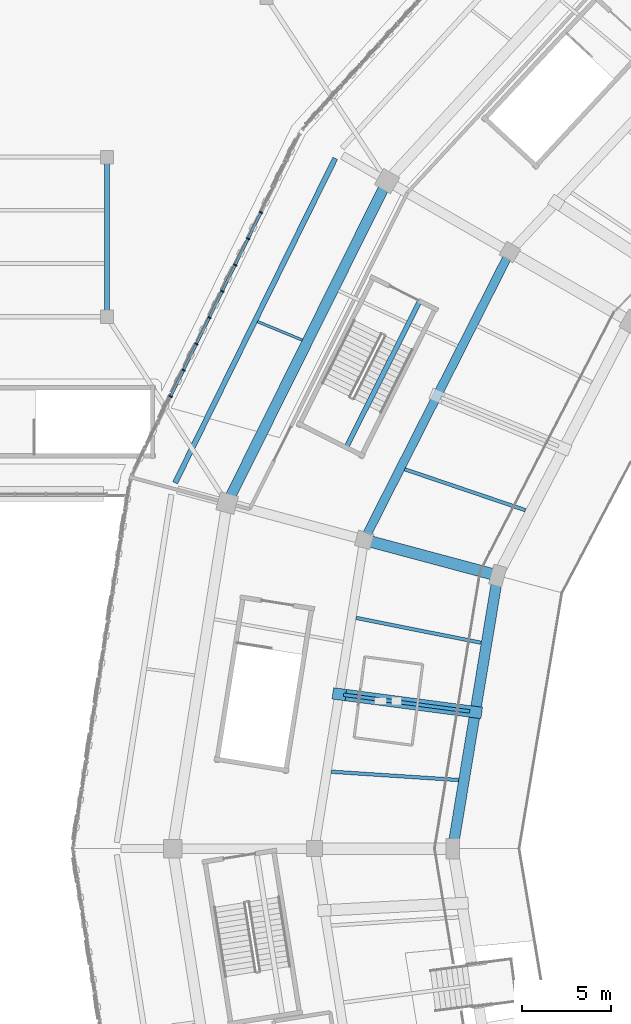
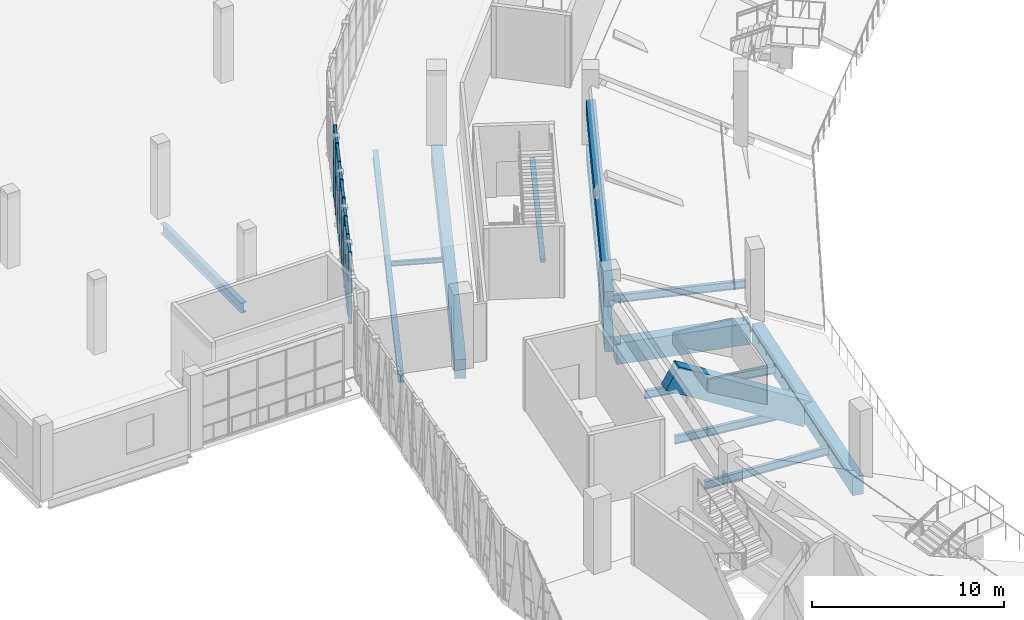
# One storey, part 23 of 152: 29 members, 14 beams, 1 element without a shape of its own.
"""IFC4 building model written with IfcOpenShell, lengths in metres."""

from ifc_helpers import new_model, si_unit, direction, frame, origin, origin_2d, place, context, subcontext, project, spatial, rectangle, i_section, extrude, material, material_profile, profile_set, type_object, element, aggregate, save


model = new_model("IFC4")

# Units and contexts
model_context = context("Model", 3, precision=1e-05, world=origin(), true_north=direction((0.0, 1.0)))
body_context = subcontext(model_context, "Body", "Model", "MODEL_VIEW")
ifc_project = project(units=[si_unit("LENGTHUNIT", "METRE"), si_unit("AREAUNIT", "SQUARE_METRE"), si_unit("VOLUMEUNIT", "CUBIC_METRE"), si_unit("PLANEANGLEUNIT", "RADIAN"), si_unit("MASSUNIT", "GRAM", prefix="KILO")], contexts=[model_context])

# Site, building, storey
site_placement = place(None, origin())
site = spatial("IfcSite", under=ifc_project, at=site_placement, CompositionType="ELEMENT")
building_placement = place(site_placement, origin())
building = spatial("IfcBuilding", under=site, at=building_placement, Name="Zevraka Park Crest Stadium", CompositionType="ELEMENT")
storey_placement = place(building_placement, frame((0.0, 0.0, 15.0)))
storey = spatial("IfcBuildingStorey", under=building, at=storey_placement, Name="L03", CompositionType="ELEMENT", Elevation=15.0)

# Beams
ifc_material_1 = material(Name="Concrete C40/50", Category="concrete")
ifc_material_profile_1 = material_profile(ifc_material_1, rectangle(XDim=0.64990234375, YDim=1.35009765625, at=origin_2d()), Name="RC 1350x650")
ifc_profile_set_1 = profile_set([ifc_material_profile_1], Name="Concrete C40/50")
beam_type_1 = type_object("IfcBeamType", Name="BG01", PredefinedType="BEAM", material=ifc_profile_set_1)
beam_1_placement = place(storey_placement, frame((39.7490234375, 107.47802734375, -0.68505859375), z_axis=(-0.965945630245, 0.258745124417, 0.0), x_axis=(-0.258745124417, -0.965945630245, 0.0)))
element("IfcBeam", 1, at=beam_1_placement, inside=storey, type_object=beam_type_1, Name="Radial Girder BG01 L03-BC-11", PredefinedType="BEAM", context=body_context, shape_type="SweptSolid", body=[
    extrude(rectangle(XDim=0.64990234375, YDim=1.35009765625, at=origin_2d()), origin(), (0.0, 0.0, 1.0), 7.2001953125),
])
ifc_material_2 = material(Name="Steel S355", Category="steel")
ifc_material_profile_2 = material_profile(ifc_material_2, i_section(OverallWidth=0.300048828125, OverallDepth=0.64990234375, WebThickness=0.01611328125, FlangeThickness=0.031005859375, at=origin_2d()), Name="HEB 650")
ifc_profile_set_2 = profile_set([ifc_material_profile_2], Name="Steel S355")
beam_type_2 = type_object("IfcBeamType", Name="BG07", PredefinedType="BEAM", material=ifc_profile_set_2)
beam_2_placement = place(storey_placement, frame((18.0, 122.300048828125, -0.633056640625), z_axis=(0.0, 1.0, 0.0), x_axis=(-1.0, 0.0, 0.0)))
element("IfcBeam", 2, at=beam_2_placement, inside=storey, type_object=beam_type_2, Name="Wing Girder BG07 L03-3/PQ", PredefinedType="BEAM", context=body_context, shape_type="SweptSolid", body=[
    extrude(i_section(OverallWidth=0.300048828125, OverallDepth=0.64990234375, WebThickness=0.01611328125, FlangeThickness=0.031005859375, at=origin_2d()), origin(), (0.0, 0.0, 1.0), 8.39990234375),
])

# Curtain wall, members
ifc_material_3 = material(Name="Anodised architectural aluminium and laminated safety glass", Category="aluminium")
curtain_wall_type = type_object("IfcCurtainWallType", Name="CW12", PredefinedType="NOTDEFINED", material=ifc_material_3)
curtain_wall_placement = place(storey_placement, origin())
curtain_wall = element("IfcCurtainWall", 3, at=curtain_wall_placement, inside=storey, type_object=curtain_wall_type, Name="Unitised Ring Curtain Wall CW12 L03-10", PredefinedType="NOTDEFINED")
ifc_material_4 = material(Name="Anodised architectural aluminium", Category="aluminium")
ifc_material_profile_3 = material_profile(ifc_material_4, rectangle(XDim=0.199951171875, YDim=0.070068359375, at=origin_2d()), Name="ALU MULLION 200x70")
ifc_profile_set_3 = profile_set([ifc_material_profile_3], Name="Anodised architectural aluminium")
member_type_1 = type_object("IfcMemberType", Name="CM03", PredefinedType="MULLION", material=ifc_profile_set_3)
member_1_placement = place(storey_placement, frame((26.687255859375, 127.888671875, 0.0), z_axis=(0.0, 0.0, 1.0), x_axis=(0.897670958396, -0.440666370912, 0.0)))
member_1 = element("IfcMember", 4, at=member_1_placement, type_object=member_type_1, Name="CW12 mullion 4", PredefinedType="MULLION", context=body_context, shape_type="SweptSolid", body=[
    extrude(rectangle(XDim=0.199951171875, YDim=0.070068359375, at=origin_2d()), origin(), (0.0, 0.0, 1.0), 4.5400390625),
])
member_2_placement = place(storey_placement, frame((25.958984375, 126.4052734375, 0.0), z_axis=(0.0, 0.0, 1.0), x_axis=(0.897670958396, -0.440666370912, 0.0)))
member_2 = element("IfcMember", 5, at=member_2_placement, type_object=member_type_1, Name="CW12 mullion 5", PredefinedType="MULLION", context=body_context, shape_type="SweptSolid", body=[
    extrude(rectangle(XDim=0.199951171875, YDim=0.070068359375, at=origin_2d()), origin(), (0.0, 0.0, 1.0), 4.5400390625),
])
member_3_placement = place(storey_placement, frame((25.23095703125, 124.921630859375, 0.0), z_axis=(0.0, 0.0, 1.0), x_axis=(0.897670958396, -0.440666370912, 0.0)))
member_3 = element("IfcMember", 6, at=member_3_placement, type_object=member_type_1, Name="CW12 mullion 6", PredefinedType="MULLION", context=body_context, shape_type="SweptSolid", body=[
    extrude(rectangle(XDim=0.199951171875, YDim=0.070068359375, at=origin_2d()), origin(), (0.0, 0.0, 1.0), 4.5400390625),
])
member_4_placement = place(storey_placement, frame((24.502685546875, 123.438232421875, 0.0), z_axis=(0.0, 0.0, 1.0), x_axis=(0.897670958396, -0.440666370912, 0.0)))
member_4 = element("IfcMember", 7, at=member_4_placement, type_object=member_type_1, Name="CW12 mullion 7", PredefinedType="MULLION", context=body_context, shape_type="SweptSolid", body=[
    extrude(rectangle(XDim=0.199951171875, YDim=0.070068359375, at=origin_2d()), origin(), (0.0, 0.0, 1.0), 4.5400390625),
])
member_5_placement = place(storey_placement, frame((23.7744140625, 121.954833984375, 0.0), z_axis=(0.0, 0.0, 1.0), x_axis=(0.897670958396, -0.440666370912, 0.0)))
member_5 = element("IfcMember", 8, at=member_5_placement, type_object=member_type_1, Name="CW12 mullion 8", PredefinedType="MULLION", context=body_context, shape_type="SweptSolid", body=[
    extrude(rectangle(XDim=0.199951171875, YDim=0.070068359375, at=origin_2d()), origin(), (0.0, 0.0, 1.0), 4.5400390625),
])
member_6_placement = place(storey_placement, frame((23.046142578125, 120.47119140625, 0.0), z_axis=(0.0, 0.0, 1.0), x_axis=(0.897670958396, -0.440666370912, 0.0)))
member_6 = element("IfcMember", 9, at=member_6_placement, type_object=member_type_1, Name="CW12 mullion 9", PredefinedType="MULLION", context=body_context, shape_type="SweptSolid", body=[
    extrude(rectangle(XDim=0.199951171875, YDim=0.070068359375, at=origin_2d()), origin(), (0.0, 0.0, 1.0), 4.5400390625),
])
member_7_placement = place(storey_placement, frame((22.31787109375, 118.98779296875, 0.0), z_axis=(0.0, 0.0, 1.0), x_axis=(0.897670958396, -0.440666370912, 0.0)))
member_7 = element("IfcMember", 10, at=member_7_placement, type_object=member_type_1, Name="CW12 mullion 10", PredefinedType="MULLION", context=body_context, shape_type="SweptSolid", body=[
    extrude(rectangle(XDim=0.199951171875, YDim=0.070068359375, at=origin_2d()), origin(), (0.0, 0.0, 1.0), 4.5400390625),
])
member_8_placement = place(storey_placement, frame((21.589599609375, 117.50439453125, 0.0), z_axis=(0.0, 0.0, 1.0), x_axis=(0.897670958396, -0.440666370912, 0.0)))
member_8 = element("IfcMember", 11, at=member_8_placement, type_object=member_type_1, Name="CW12 mullion 11", PredefinedType="MULLION", context=body_context, shape_type="SweptSolid", body=[
    extrude(rectangle(XDim=0.199951171875, YDim=0.070068359375, at=origin_2d()), origin(), (0.0, 0.0, 1.0), 4.5400390625),
])
ifc_material_5 = material(Name="Anodised architectural aluminium", Category="aluminium")
ifc_material_profile_4 = material_profile(ifc_material_5, rectangle(XDim=0.14990234375, YDim=0.070068359375, at=origin_2d()), Name="ALU TRANSOM 150x70")
ifc_profile_set_4 = profile_set([ifc_material_profile_4], Name="Anodised architectural aluminium")
member_type_2 = type_object("IfcMemberType", Name="CT03", PredefinedType="USERDEFINED", material=ifc_profile_set_4)
member_9_placement = place(storey_placement, frame((26.671875, 127.857177734375, 0.034912109375), z_axis=(-0.440598601408, -0.897704223248, 0.0), x_axis=(0.897704223248, -0.440598601408, 0.0)))
member_9 = element("IfcMember", 12, at=member_9_placement, type_object=member_type_2, Name="CW12 transom 4.1", ObjectType="TRANSOM", PredefinedType="USERDEFINED", context=body_context, shape_type="SweptSolid", body=[
    extrude(rectangle(XDim=0.14990234375, YDim=0.070068359375, at=origin_2d()), origin(), (0.0, 0.0, 1.0), 1.58251953125),
])
member_10_placement = place(storey_placement, frame((26.671875, 127.857177734375, 2.39990234375), z_axis=(-0.440598601408, -0.897704223248, 0.0), x_axis=(0.897704223248, -0.440598601408, 0.0)))
member_10 = element("IfcMember", 13, at=member_10_placement, type_object=member_type_2, Name="CW12 transom 4.2", ObjectType="TRANSOM", PredefinedType="USERDEFINED", context=body_context, shape_type="SweptSolid", body=[
    extrude(rectangle(XDim=0.14990234375, YDim=0.070068359375, at=origin_2d()), origin(), (0.0, 0.0, 1.0), 1.58251953125),
])
member_11_placement = place(storey_placement, frame((26.671875, 127.857177734375, 4.5048828125), z_axis=(-0.440598601408, -0.897704223248, 0.0), x_axis=(0.897704223248, -0.440598601408, 0.0)))
member_11 = element("IfcMember", 14, at=member_11_placement, type_object=member_type_2, Name="CW12 transom 4.3", ObjectType="TRANSOM", PredefinedType="USERDEFINED", context=body_context, shape_type="SweptSolid", body=[
    extrude(rectangle(XDim=0.14990234375, YDim=0.070068359375, at=origin_2d()), origin(), (0.0, 0.0, 1.0), 1.58251953125),
])
member_12_placement = place(storey_placement, frame((25.943603515625, 126.373779296875, 0.034912109375), z_axis=(-0.440598601408, -0.897704223248, 0.0), x_axis=(0.897704223248, -0.440598601408, 0.0)))
member_12 = element("IfcMember", 15, at=member_12_placement, type_object=member_type_2, Name="CW12 transom 5.1", ObjectType="TRANSOM", PredefinedType="USERDEFINED", context=body_context, shape_type="SweptSolid", body=[
    extrude(rectangle(XDim=0.14990234375, YDim=0.070068359375, at=origin_2d()), origin(), (0.0, 0.0, 1.0), 1.58251953125),
])
member_13_placement = place(storey_placement, frame((25.943603515625, 126.373779296875, 2.39990234375), z_axis=(-0.440598601408, -0.897704223248, 0.0), x_axis=(0.897704223248, -0.440598601408, 0.0)))
member_13 = element("IfcMember", 16, at=member_13_placement, type_object=member_type_2, Name="CW12 transom 5.2", ObjectType="TRANSOM", PredefinedType="USERDEFINED", context=body_context, shape_type="SweptSolid", body=[
    extrude(rectangle(XDim=0.14990234375, YDim=0.070068359375, at=origin_2d()), origin(), (0.0, 0.0, 1.0), 1.58251953125),
])
member_14_placement = place(storey_placement, frame((25.943603515625, 126.373779296875, 4.5048828125), z_axis=(-0.440598601408, -0.897704223248, 0.0), x_axis=(0.897704223248, -0.440598601408, 0.0)))
member_14 = element("IfcMember", 17, at=member_14_placement, type_object=member_type_2, Name="CW12 transom 5.3", ObjectType="TRANSOM", PredefinedType="USERDEFINED", context=body_context, shape_type="SweptSolid", body=[
    extrude(rectangle(XDim=0.14990234375, YDim=0.070068359375, at=origin_2d()), origin(), (0.0, 0.0, 1.0), 1.58251953125),
])
member_15_placement = place(storey_placement, frame((25.21533203125, 124.890380859375, 0.034912109375), z_axis=(-0.440598601408, -0.897704223248, 0.0), x_axis=(0.897704223248, -0.440598601408, 0.0)))
member_15 = element("IfcMember", 18, at=member_15_placement, type_object=member_type_2, Name="CW12 transom 6.1", ObjectType="TRANSOM", PredefinedType="USERDEFINED", context=body_context, shape_type="SweptSolid", body=[
    extrude(rectangle(XDim=0.14990234375, YDim=0.070068359375, at=origin_2d()), origin(), (0.0, 0.0, 1.0), 1.58251953125),
])
member_16_placement = place(storey_placement, frame((25.21533203125, 124.890380859375, 2.39990234375), z_axis=(-0.440598601408, -0.897704223248, 0.0), x_axis=(0.897704223248, -0.440598601408, 0.0)))
member_16 = element("IfcMember", 19, at=member_16_placement, type_object=member_type_2, Name="CW12 transom 6.2", ObjectType="TRANSOM", PredefinedType="USERDEFINED", context=body_context, shape_type="SweptSolid", body=[
    extrude(rectangle(XDim=0.14990234375, YDim=0.070068359375, at=origin_2d()), origin(), (0.0, 0.0, 1.0), 1.58251953125),
])
member_17_placement = place(storey_placement, frame((25.21533203125, 124.890380859375, 4.5048828125), z_axis=(-0.440598601408, -0.897704223248, 0.0), x_axis=(0.897704223248, -0.440598601408, 0.0)))
member_17 = element("IfcMember", 20, at=member_17_placement, type_object=member_type_2, Name="CW12 transom 6.3", ObjectType="TRANSOM", PredefinedType="USERDEFINED", context=body_context, shape_type="SweptSolid", body=[
    extrude(rectangle(XDim=0.14990234375, YDim=0.070068359375, at=origin_2d()), origin(), (0.0, 0.0, 1.0), 1.58251953125),
])
member_18_placement = place(storey_placement, frame((24.4873046875, 123.40673828125, 0.034912109375), z_axis=(-0.440722911723, -0.897643200321, 0.0), x_axis=(0.897643200321, -0.440722911723, 0.0)))
member_18 = element("IfcMember", 21, at=member_18_placement, type_object=member_type_2, Name="CW12 transom 7.1", ObjectType="TRANSOM", PredefinedType="USERDEFINED", context=body_context, shape_type="SweptSolid", body=[
    extrude(rectangle(XDim=0.14990234375, YDim=0.070068359375, at=origin_2d()), origin(), (0.0, 0.0, 1.0), 1.582763671875),
])
member_19_placement = place(storey_placement, frame((24.4873046875, 123.40673828125, 2.39990234375), z_axis=(-0.440722911723, -0.897643200321, 0.0), x_axis=(0.897643200321, -0.440722911723, 0.0)))
member_19 = element("IfcMember", 22, at=member_19_placement, type_object=member_type_2, Name="CW12 transom 7.2", ObjectType="TRANSOM", PredefinedType="USERDEFINED", context=body_context, shape_type="SweptSolid", body=[
    extrude(rectangle(XDim=0.14990234375, YDim=0.070068359375, at=origin_2d()), origin(), (0.0, 0.0, 1.0), 1.582763671875),
])
member_20_placement = place(storey_placement, frame((24.4873046875, 123.40673828125, 4.5048828125), z_axis=(-0.440722911723, -0.897643200321, 0.0), x_axis=(0.897643200321, -0.440722911723, 0.0)))
member_20 = element("IfcMember", 23, at=member_20_placement, type_object=member_type_2, Name="CW12 transom 7.3", ObjectType="TRANSOM", PredefinedType="USERDEFINED", context=body_context, shape_type="SweptSolid", body=[
    extrude(rectangle(XDim=0.14990234375, YDim=0.070068359375, at=origin_2d()), origin(), (0.0, 0.0, 1.0), 1.582763671875),
])
member_21_placement = place(storey_placement, frame((23.759033203125, 121.92333984375, 0.034912109375), z_axis=(-0.440722911723, -0.897643200321, 0.0), x_axis=(0.897643200321, -0.440722911723, 0.0)))
member_21 = element("IfcMember", 24, at=member_21_placement, type_object=member_type_2, Name="CW12 transom 8.1", ObjectType="TRANSOM", PredefinedType="USERDEFINED", context=body_context, shape_type="SweptSolid", body=[
    extrude(rectangle(XDim=0.14990234375, YDim=0.070068359375, at=origin_2d()), origin(), (0.0, 0.0, 1.0), 1.582763671875),
])
member_22_placement = place(storey_placement, frame((23.759033203125, 121.92333984375, 2.39990234375), z_axis=(-0.440722911723, -0.897643200321, 0.0), x_axis=(0.897643200321, -0.440722911723, 0.0)))
member_22 = element("IfcMember", 25, at=member_22_placement, type_object=member_type_2, Name="CW12 transom 8.2", ObjectType="TRANSOM", PredefinedType="USERDEFINED", context=body_context, shape_type="SweptSolid", body=[
    extrude(rectangle(XDim=0.14990234375, YDim=0.070068359375, at=origin_2d()), origin(), (0.0, 0.0, 1.0), 1.582763671875),
])
member_23_placement = place(storey_placement, frame((23.759033203125, 121.92333984375, 4.5048828125), z_axis=(-0.440722911723, -0.897643200321, 0.0), x_axis=(0.897643200321, -0.440722911723, 0.0)))
member_23 = element("IfcMember", 26, at=member_23_placement, type_object=member_type_2, Name="CW12 transom 8.3", ObjectType="TRANSOM", PredefinedType="USERDEFINED", context=body_context, shape_type="SweptSolid", body=[
    extrude(rectangle(XDim=0.14990234375, YDim=0.070068359375, at=origin_2d()), origin(), (0.0, 0.0, 1.0), 1.582763671875),
])
member_24_placement = place(storey_placement, frame((23.03076171875, 120.43994140625, 0.034912109375), z_axis=(-0.440722911723, -0.897643200321, 0.0), x_axis=(0.897643200321, -0.440722911723, 0.0)))
member_24 = element("IfcMember", 27, at=member_24_placement, type_object=member_type_2, Name="CW12 transom 9.1", ObjectType="TRANSOM", PredefinedType="USERDEFINED", context=body_context, shape_type="SweptSolid", body=[
    extrude(rectangle(XDim=0.14990234375, YDim=0.070068359375, at=origin_2d()), origin(), (0.0, 0.0, 1.0), 1.582763671875),
])
member_25_placement = place(storey_placement, frame((23.03076171875, 120.43994140625, 2.39990234375), z_axis=(-0.440722911723, -0.897643200321, 0.0), x_axis=(0.897643200321, -0.440722911723, 0.0)))
member_25 = element("IfcMember", 28, at=member_25_placement, type_object=member_type_2, Name="CW12 transom 9.2", ObjectType="TRANSOM", PredefinedType="USERDEFINED", context=body_context, shape_type="SweptSolid", body=[
    extrude(rectangle(XDim=0.14990234375, YDim=0.070068359375, at=origin_2d()), origin(), (0.0, 0.0, 1.0), 1.582763671875),
])
member_26_placement = place(storey_placement, frame((23.03076171875, 120.43994140625, 4.5048828125), z_axis=(-0.440722911723, -0.897643200321, 0.0), x_axis=(0.897643200321, -0.440722911723, 0.0)))
member_26 = element("IfcMember", 29, at=member_26_placement, type_object=member_type_2, Name="CW12 transom 9.3", ObjectType="TRANSOM", PredefinedType="USERDEFINED", context=body_context, shape_type="SweptSolid", body=[
    extrude(rectangle(XDim=0.14990234375, YDim=0.070068359375, at=origin_2d()), origin(), (0.0, 0.0, 1.0), 1.582763671875),
])
member_27_placement = place(storey_placement, frame((22.302490234375, 118.95654296875, 0.034912109375), z_axis=(-0.440598601408, -0.897704223248, 0.0), x_axis=(0.897704223248, -0.440598601408, 0.0)))
member_27 = element("IfcMember", 30, at=member_27_placement, type_object=member_type_2, Name="CW12 transom 10.1", ObjectType="TRANSOM", PredefinedType="USERDEFINED", context=body_context, shape_type="SweptSolid", body=[
    extrude(rectangle(XDim=0.14990234375, YDim=0.070068359375, at=origin_2d()), origin(), (0.0, 0.0, 1.0), 1.58251953125),
])
member_28_placement = place(storey_placement, frame((22.302490234375, 118.95654296875, 2.39990234375), z_axis=(-0.440598601408, -0.897704223248, 0.0), x_axis=(0.897704223248, -0.440598601408, 0.0)))
member_28 = element("IfcMember", 31, at=member_28_placement, type_object=member_type_2, Name="CW12 transom 10.2", ObjectType="TRANSOM", PredefinedType="USERDEFINED", context=body_context, shape_type="SweptSolid", body=[
    extrude(rectangle(XDim=0.14990234375, YDim=0.070068359375, at=origin_2d()), origin(), (0.0, 0.0, 1.0), 1.58251953125),
])
member_29_placement = place(storey_placement, frame((22.302490234375, 118.95654296875, 4.5048828125), z_axis=(-0.440598601408, -0.897704223248, 0.0), x_axis=(0.897704223248, -0.440598601408, 0.0)))
member_29 = element("IfcMember", 32, at=member_29_placement, type_object=member_type_2, Name="CW12 transom 10.3", ObjectType="TRANSOM", PredefinedType="USERDEFINED", context=body_context, shape_type="SweptSolid", body=[
    extrude(rectangle(XDim=0.14990234375, YDim=0.070068359375, at=origin_2d()), origin(), (0.0, 0.0, 1.0), 1.58251953125),
])
aggregate(curtain_wall, [member_1, member_2, member_3, member_4, member_5, member_6, member_7, member_8, member_9, member_10, member_11, member_12, member_13, member_14, member_15, member_16, member_17, member_18, member_19, member_20, member_21, member_22, member_23, member_24, member_25, member_26, member_27, member_28, member_29])

# Beams
ifc_material_6 = material(Name="Concrete C40/50", Category="concrete")
ifc_material_profile_5 = material_profile(ifc_material_6, rectangle(XDim=0.60009765625, YDim=1.199951171875, at=origin_2d()), Name="RC 1200x600")
ifc_profile_set_5 = profile_set([ifc_material_profile_5], Name="Concrete C40/50")
beam_type_3 = type_object("IfcBeamType", Name="RB01", PredefinedType="BEAM", material=ifc_profile_set_5)
beam_3_placement = place(storey_placement, frame((33.62890625, 129.31005859375, -0.610107421875), z_axis=(-0.444850507814, -0.895604837916, 0.0), x_axis=(0.895604837916, -0.444850507814, 0.0)))
element("IfcBeam", 33, at=beam_3_placement, inside=storey, type_object=beam_type_3, Name="Ring Beam RB01 L03-D-10", PredefinedType="BEAM", context=body_context, shape_type="SweptSolid", body=[
    extrude(rectangle(XDim=0.60009765625, YDim=1.199951171875, at=origin_2d()), origin(), (0.0, 0.0, 1.0), 19.5185546875),
])
beam_4_placement = place(storey_placement, frame((39.97705078125, 107.02490234375, -0.610107421875), z_axis=(-0.162654875862, -0.986683024764, 0.0), x_axis=(0.986683024764, -0.162654875862, 0.0)))
element("IfcBeam", 34, at=beam_4_placement, inside=storey, type_object=beam_type_3, Name="Ring Beam RB01 L03-B-11", PredefinedType="BEAM", context=body_context, shape_type="SweptSolid", body=[
    extrude(rectangle(XDim=0.60009765625, YDim=1.199951171875, at=origin_2d()), origin(), (0.0, 0.0, 1.0), 14.84765625),
])
ifc_material_7 = material(Name="Concrete C40/50", Category="concrete")
ifc_material_profile_6 = material_profile(ifc_material_7, rectangle(XDim=0.5, YDim=0.949951171875, at=origin_2d()), Name="RC 950x500")
ifc_profile_set_6 = profile_set([ifc_material_profile_6], Name="Concrete C40/50")
beam_type_4 = type_object("IfcBeamType", Name="RB02", PredefinedType="BEAM", material=ifc_profile_set_6)
for number, where, z_axis, x_axis, name in (
    (35, (40.553955078125, 125.31103515625, -0.485107421875), (-0.451862275442, -0.892087710953, 0.0), (0.892087710953, -0.451862275442, 0.0), "Ring Beam RB02 L03-C-10"),
    (36, (40.553955078125, 125.31103515625, 2.375), (-0.451862275442, -0.892087710953, 0.0), (0.892087710953, -0.451862275442, 0.0), "Upper Tier Head Raker Ring Beam RB02 10"),
):
    element("IfcBeam", number, at=place(storey_placement, frame(where, z_axis=z_axis, x_axis=x_axis)), inside=storey, type_object=beam_type_4, Name=name, PredefinedType="BEAM", context=body_context, shape_type="SweptSolid", body=[
        extrude(rectangle(XDim=0.5, YDim=0.949951171875, at=origin_2d()), origin(), (0.0, 0.0, 1.0), 17.434326171875),
    ])
ifc_material_8 = material(Name="Steel S355", Category="steel")
ifc_material_profile_7 = material_profile(ifc_material_8, i_section(OverallWidth=0.300048828125, OverallDepth=0.5, WebThickness=0.014404296875, FlangeThickness=0.028076171875, at=origin_2d()), Name="HEB 500")
ifc_profile_set_7 = profile_set([ifc_material_profile_7], Name="Steel S355")
beam_type_5 = type_object("IfcBeamType", Name="RB05", PredefinedType="BEAM", material=ifc_profile_set_7)
beam_5_placement = place(storey_placement, frame((30.8720703125, 130.93603515625, -0.60498046875), z_axis=(-0.442446810597, -0.896794747862, 0.0), x_axis=(0.896794747862, -0.442446810597, 0.0)))
element("IfcBeam", 37, at=beam_5_placement, inside=storey, type_object=beam_type_5, Name="Ring Beam RB05 L03-E-10", PredefinedType="BEAM", context=body_context, shape_type="SweptSolid", body=[
    extrude(i_section(OverallWidth=0.300048828125, OverallDepth=0.5, WebThickness=0.014404296875, FlangeThickness=0.028076171875, at=origin_2d()), origin(), (0.0, 0.0, 1.0), 20.41162109375),
])
ifc_material_9 = material(Name="Concrete C40/50", Category="concrete")
ifc_material_profile_8 = material_profile(ifc_material_9, rectangle(XDim=0.64990234375, YDim=1.5, at=origin_2d()), Name="RC 1500x650")
ifc_profile_set_8 = profile_set([ifc_material_profile_8], Name="Concrete C40/50")
beam_type_6 = type_object("IfcBeamType", Name="RK02", PredefinedType="BEAM", material=ifc_profile_set_8)
beam_6_placement = place(storey_placement, frame((38.77001953125, 99.699951171875, -0.800048828125), z_axis=(-0.862706215679, 0.113524095434, 0.492798402174), x_axis=(-0.130465944546, -0.991452791268, 0.0)))
element("IfcBeam", 38, at=beam_6_placement, inside=storey, type_object=beam_type_6, Name="Upper Bowl Main Raker Girder RK02 11", PredefinedType="BEAM", context=body_context, shape_type="SweptSolid", body=[
    extrude(rectangle(XDim=0.64990234375, YDim=1.5, at=origin_2d()), origin(), (0.0, 0.0, 1.0), 8.88818359375),
])
ifc_material_10 = material(Name="Steel S355", Category="steel")
ifc_material_profile_9 = material_profile(ifc_material_10, i_section(OverallWidth=0.14990234375, OverallDepth=0.300048828125, WebThickness=0.007080078125, FlangeThickness=0.0107421875, at=origin_2d()), Name="IPE 300")
ifc_profile_set_9 = profile_set([ifc_material_profile_9], Name="Steel S355")
beam_type_7 = type_object("IfcBeamType", Name="SJ01", PredefinedType="JOIST", material=ifc_profile_set_9)
beam_7_placement = place(storey_placement, frame((29.014892578125, 120.681884765625, -0.4580078125), z_axis=(-0.923841523408, 0.382775181571, 0.0), x_axis=(-0.382775181571, -0.923841523408, 0.0)))
element("IfcBeam", 39, at=beam_7_placement, inside=storey, type_object=beam_type_7, Name="Floor Joist SJ01 L03-DE-10-1", PredefinedType="JOIST", context=body_context, shape_type="SweptSolid", body=[
    extrude(i_section(OverallWidth=0.14990234375, OverallDepth=0.300048828125, WebThickness=0.007080078125, FlangeThickness=0.0107421875, at=origin_2d()), origin(), (0.0, 0.0, 1.0), 2.733154296875),
])
ifc_material_11 = material(Name="Steel S355", Category="steel")
ifc_material_profile_10 = material_profile(ifc_material_11, i_section(OverallWidth=0.199951171875, OverallDepth=0.5, WebThickness=0.01025390625, FlangeThickness=0.01611328125, at=origin_2d()), Name="IPE 500")
ifc_profile_set_10 = profile_set([ifc_material_profile_10], Name="Steel S355")
beam_type_8 = type_object("IfcBeamType", Name="SJ10", PredefinedType="JOIST", material=ifc_profile_set_10)
beam_8_placement = place(storey_placement, frame((41.60107421875, 111.089111328125, -0.55810546875), z_axis=(-0.947037352852, 0.321123422227, 0.0), x_axis=(-0.321123422227, -0.947037352852, 0.0)))
element("IfcBeam", 40, at=beam_8_placement, inside=storey, type_object=beam_type_8, Name="Floor Joist SJ10 L03-BC-10-3", PredefinedType="JOIST", context=body_context, shape_type="SweptSolid", body=[
    extrude(i_section(OverallWidth=0.199951171875, OverallDepth=0.5, WebThickness=0.01025390625, FlangeThickness=0.01611328125, at=origin_2d()), origin(), (0.0, 0.0, 1.0), 7.18994140625),
])
beam_9_placement = place(storey_placement, frame((39.094970703125, 103.612060546875, -0.55810546875), z_axis=(-0.98075007635, 0.195267221364, 0.0), x_axis=(-0.195267221364, -0.98075007635, 0.0)))
element("IfcBeam", 41, at=beam_9_placement, inside=storey, type_object=beam_type_8, Name="Floor Joist SJ10 L03-BC-11-1", PredefinedType="JOIST", context=body_context, shape_type="SweptSolid", body=[
    extrude(i_section(OverallWidth=0.199951171875, OverallDepth=0.5, WebThickness=0.01025390625, FlangeThickness=0.01611328125, at=origin_2d()), origin(), (0.0, 0.0, 1.0), 7.1904296875),
])
beam_10_placement = place(storey_placement, frame((38.45703125, 99.740966796875, -0.55810546875), z_axis=(-0.991432387953, 0.130620902302, 0.0), x_axis=(-0.130620902302, -0.991432387953, 0.0)))
element("IfcBeam", 42, at=beam_10_placement, inside=storey, type_object=beam_type_8, Name="Floor Joist SJ10 L03-BC-11-2", PredefinedType="JOIST", context=body_context, shape_type="SweptSolid", body=[
    extrude(i_section(OverallWidth=0.199951171875, OverallDepth=0.5, WebThickness=0.01025390625, FlangeThickness=0.01611328125, at=origin_2d()), origin(), (0.0, 0.0, 1.0), 7.173583984375),
])
beam_11_placement = place(storey_placement, frame((37.820068359375, 95.87109375, -0.55810546875), z_axis=(-0.997879386875, 0.065090162464, 0.0), x_axis=(-0.065090162464, -0.997879386875, 0.0)))
element("IfcBeam", 43, at=beam_11_placement, inside=storey, type_object=beam_type_8, Name="Floor Joist SJ10 L03-BC-11-3", PredefinedType="JOIST", context=body_context, shape_type="SweptSolid", body=[
    extrude(i_section(OverallWidth=0.199951171875, OverallDepth=0.5, WebThickness=0.01025390625, FlangeThickness=0.01611328125, at=origin_2d()), origin(), (0.0, 0.0, 1.0), 7.190185546875),
])
ifc_material_12 = material(Name="Concrete C40/50", Category="concrete")
ifc_material_profile_11 = material_profile(ifc_material_12, rectangle(XDim=0.280029296875, YDim=0.199951171875, at=origin_2d()), Name="RC 200x280")
ifc_profile_set_11 = profile_set([ifc_material_profile_11], Name="Concrete C40/50")
beam_type_9 = type_object("IfcBeamType", Name="SJ13", PredefinedType="JOIST", material=ifc_profile_set_11)
beam_12_placement = place(storey_placement, frame((35.624755859375, 122.8623046875, 2.300048828125), z_axis=(-0.447910267746, -0.894078515594, 0.0), x_axis=(0.894078515594, -0.447910267746, 0.0)))
element("IfcBeam", 44, at=beam_12_placement, inside=storey, type_object=beam_type_9, Name="Stair Upper-Flight Longitudinal Stringer SJ13 ST11-L03", PredefinedType="JOIST", context=body_context, shape_type="SweptSolid", body=[
    extrude(rectangle(XDim=0.280029296875, YDim=0.199951171875, at=origin_2d()), origin(), (0.0, 0.0, 1.0), 9.249755859375),
])

save(model, "model.ifc")
